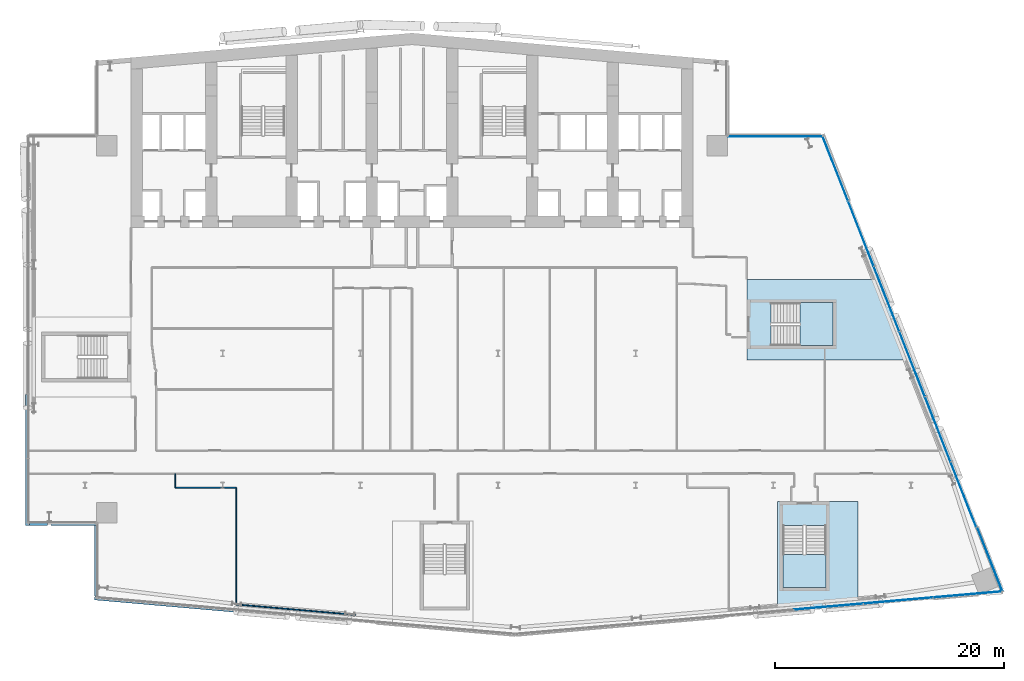
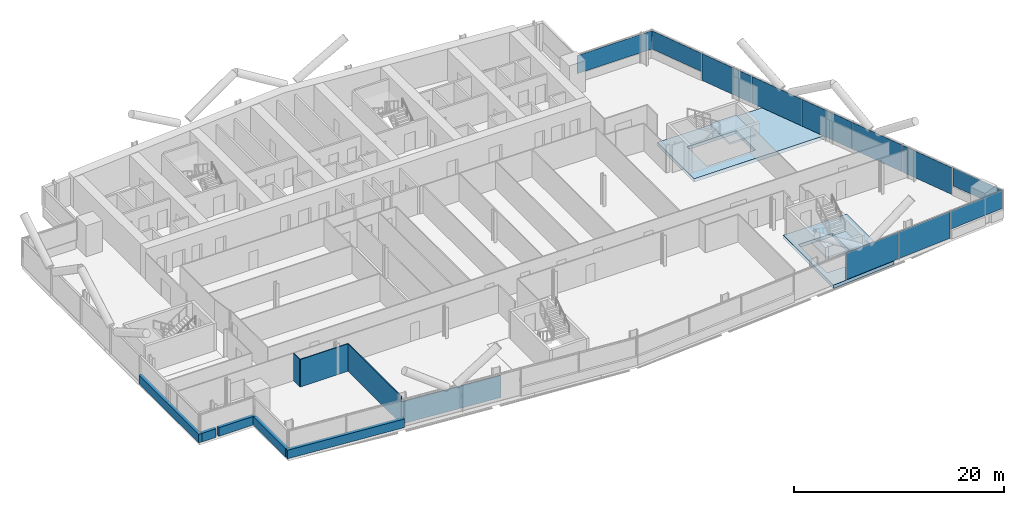
# One storey, part 13 of 27: 11 plates, 10 walls, 4 slabs, 5 elements without a shape of their own.
"""IFC4 building model written with IfcOpenShell, lengths in metres."""

from ifc_helpers import new_model, si_unit, direction, frame, frame_2d, origin, origin_2d, place, context, subcontext, project, spatial, polyline, rectangle, outline, extrude, material, layer, layer_set, type_object, element, aggregate, save


model = new_model("IFC4")

# Units and contexts
model_context = context("Model", 3, precision=1e-05, world=origin(), true_north=direction((0.0, 1.0)))
body_context = subcontext(model_context, "Body", "Model", "MODEL_VIEW")
ifc_project = project(units=[si_unit("LENGTHUNIT", "METRE"), si_unit("AREAUNIT", "SQUARE_METRE"), si_unit("VOLUMEUNIT", "CUBIC_METRE"), si_unit("PLANEANGLEUNIT", "RADIAN"), si_unit("MASSUNIT", "GRAM", prefix="KILO")], contexts=[model_context])

# Site, building, storey
site_placement = place(None, origin())
site = spatial("IfcSite", under=ifc_project, at=site_placement, CompositionType="ELEMENT")
building_placement = place(site_placement, origin())
building = spatial("IfcBuilding", under=site, at=building_placement, Name="Wharfspan Tower", CompositionType="ELEMENT")
storey_placement = place(building_placement, frame((0.0, 0.0, 139.899902)))
storey = spatial("IfcBuildingStorey", under=building, at=storey_placement, Name="L33", CompositionType="ELEMENT", Elevation=139.899902)

# Curtain wall, plate
ifc_material_1 = material(Name="Aluminium 6063-T6", Category="aluminium")
curtain_wall_type_1 = type_object("IfcCurtainWallType", Name="CURTAIN WALL FACETED FRONT", PredefinedType="NOTDEFINED", material=ifc_material_1)
curtain_wall_1_placement = place(storey_placement, origin())
curtain_wall_1 = element("IfcCurtainWall", 1, at=curtain_wall_1_placement, inside=storey, type_object=curtain_wall_type_1, Name="Curtain wall S2", PredefinedType="NOTDEFINED")
ifc_material_2 = material(Name="Glass clear low-iron double glazing", Category="glass")
ifc_layer_1 = layer(ifc_material_2, 0.040039)
ifc_layer_set_1 = layer_set([ifc_layer_1], Name="Glass clear low-iron double glazing")
plate_type_1 = type_object("IfcPlateType", Name="GLASS PANEL FACETED FRONT 40", PredefinedType="CURTAIN_PANEL", material=ifc_layer_set_1)
plate_1_placement = place(storey_placement, frame((88.944092, 1.99292, 1.0), z_axis=(0.0, 0.0, 1.0), x_axis=(0.996198, 0.087156, 0.0)))
plate_1 = element("IfcPlate", 2, at=plate_1_placement, type_object=plate_type_1, Name="Curtain wall S2 panel 7", PredefinedType="CURTAIN_PANEL", context=body_context, shape_type="SweptSolid", body=[
    extrude(rectangle(XDim=6.004639, YDim=0.040039, at=origin_2d()), origin(), (0.0, 0.0, 1.0), 2.120117),
])

# Curtain wall, plates
curtain_wall_type_2 = type_object("IfcCurtainWallType", Name="CURTAIN WALL PROW AND END", PredefinedType="NOTDEFINED", material=ifc_material_1)
curtain_wall_2_placement = place(storey_placement, origin())
curtain_wall_2 = element("IfcCurtainWall", 3, at=curtain_wall_2_placement, inside=storey, type_object=curtain_wall_type_2, Name="Curtain wall E", PredefinedType="NOTDEFINED")
ifc_layer_2 = layer(ifc_material_2, 0.040039)
ifc_layer_set_2 = layer_set([ifc_layer_2], Name="Glass clear low-iron double glazing")
plate_type_2 = type_object("IfcPlateType", Name="GLASS PANEL PROW AND END 40", PredefinedType="CURTAIN_PANEL", material=ifc_layer_set_2)
plate_2_placement = place(storey_placement, frame((90.877197, 5.056885, 1.0), z_axis=(0.0, 0.0, 1.0), x_axis=(-0.365778, 0.930702, 0.0)))
plate_2 = element("IfcPlate", 4, at=plate_2_placement, type_object=plate_type_2, Name="Curtain wall E panel 1", PredefinedType="CURTAIN_PANEL", context=body_context, shape_type="SweptSolid", body=[
    extrude(rectangle(XDim=6.019043, YDim=0.040039, at=origin_2d()), origin(), (0.0, 0.0, 1.0), 2.120117),
])
plate_3_placement = place(storey_placement, frame((77.406494, 39.114014, 1.0), z_axis=(0.0, 0.0, 1.0), x_axis=(-0.365778, 0.930702, 0.0)))
plate_3 = element("IfcPlate", 5, at=plate_3_placement, type_object=plate_type_2, Name="Curtain wall E panel 7", PredefinedType="CURTAIN_PANEL", context=body_context, shape_type="SweptSolid", body=[
    extrude(rectangle(XDim=6.019043, YDim=0.040039, at=origin_2d()), origin(), (0.0, 0.0, 1.0), 2.120117),
])

# Curtain wall, plate
curtain_wall_3_placement = place(storey_placement, origin())
curtain_wall_3 = element("IfcCurtainWall", 6, at=curtain_wall_3_placement, inside=storey, type_object=curtain_wall_type_2, Name="Curtain wall NRE-H", PredefinedType="NOTDEFINED")
plate_4_placement = place(storey_placement, frame((72.178955, 41.919922, 1.0), z_axis=(0.0, 0.0, 1.0), x_axis=(-1.0, 0.0, 0.0)))
plate_4 = element("IfcPlate", 7, at=plate_4_placement, type_object=plate_type_2, Name="Curtain wall NRE-H panel 1", PredefinedType="CURTAIN_PANEL", context=body_context, shape_type="SweptSolid", body=[
    extrude(rectangle(XDim=8.238037, YDim=0.040039, at=origin_2d()), origin(), (0.0, 0.0, 1.0), 2.120117),
])
aggregate(curtain_wall_3, [plate_4])

# Plate
ifc_material_3 = material(Name="Aluminium composite opaque insulated panel", Category="aluminium")
ifc_layer_3 = layer(ifc_material_3, 0.040039)
ifc_layer_set_3 = layer_set([ifc_layer_3], Name="Aluminium composite opaque insulated panel")
plate_type_3 = type_object("IfcPlateType", Name="INFILL PANEL FACETED FRONT OPAQUE 40", PredefinedType="SHEET", material=ifc_layer_set_3)
plate_5_placement = place(storey_placement, frame((76.816162, 0.931885, 0.0), z_axis=(0.0, 0.0, 1.0), x_axis=(0.996198, 0.087156, 0.0)))
plate_5 = element("IfcPlate", 8, at=plate_5_placement, type_object=plate_type_3, Name="Curtain wall S2 panel 5", PredefinedType="SHEET", context=body_context, shape_type="SweptSolid", body=[
    extrude(rectangle(XDim=6.034668, YDim=0.040039, at=origin_2d()), origin(), (0.0, 0.0, 1.0), 3.120117),
])

plate_6_placement = place(storey_placement, frame((82.887695, 1.462891, 0.0), z_axis=(0.0, 0.0, 1.0), x_axis=(0.996198, 0.087156, 0.0)))
plate_6 = element("IfcPlate", 9, at=plate_6_placement, type_object=plate_type_3, Name="Curtain wall S2 panel 6", PredefinedType="SHEET", context=body_context, shape_type="SweptSolid", body=[
    extrude(rectangle(XDim=6.034668, YDim=0.040039, at=origin_2d()), origin(), (0.0, 0.0, 1.0), 3.120117),
])

aggregate(curtain_wall_1, [plate_5, plate_6, plate_1])

ifc_layer_4 = layer(ifc_material_3, 0.040039)
ifc_layer_set_4 = layer_set([ifc_layer_4], Name="Aluminium composite opaque insulated panel")
plate_type_4 = type_object("IfcPlateType", Name="INFILL PANEL PROW AND END OPAQUE 40", PredefinedType="SHEET", material=ifc_layer_set_4)
plate_7_placement = place(storey_placement, frame((88.57373, 10.699219, 0.0), z_axis=(0.0, 0.0, 1.0), x_axis=(-0.365778, 0.930702, 0.0)))
plate_7 = element("IfcPlate", 10, at=plate_7_placement, type_object=plate_type_4, Name="Curtain wall E panel 2", PredefinedType="SHEET", context=body_context, shape_type="SweptSolid", body=[
    extrude(rectangle(XDim=6.049072, YDim=0.040039, at=origin_2d()), origin(), (0.0, 0.0, 1.0), 3.120117),
])

plate_8_placement = place(storey_placement, frame((86.339111, 16.38501, 0.0), z_axis=(0.0, 0.0, 1.0), x_axis=(-0.365778, 0.930702, 0.0)))
plate_8 = element("IfcPlate", 11, at=plate_8_placement, type_object=plate_type_4, Name="Curtain wall E panel 3", PredefinedType="SHEET", context=body_context, shape_type="SweptSolid", body=[
    extrude(rectangle(XDim=6.049072, YDim=0.040039, at=origin_2d()), origin(), (0.0, 0.0, 1.0), 3.120117),
])

plate_9_placement = place(storey_placement, frame((84.104492, 22.070801, 0.0), z_axis=(0.0, 0.0, 1.0), x_axis=(-0.365778, 0.930702, 0.0)))
plate_9 = element("IfcPlate", 12, at=plate_9_placement, type_object=plate_type_4, Name="Curtain wall E panel 4", PredefinedType="SHEET", context=body_context, shape_type="SweptSolid", body=[
    extrude(rectangle(XDim=6.049072, YDim=0.040039, at=origin_2d()), origin(), (0.0, 0.0, 1.0), 3.120117),
])

plate_10_placement = place(storey_placement, frame((81.870117, 27.756348, 0.0), z_axis=(0.0, 0.0, 1.0), x_axis=(-0.365778, 0.930702, 0.0)))
plate_10 = element("IfcPlate", 13, at=plate_10_placement, type_object=plate_type_4, Name="Curtain wall E panel 5", PredefinedType="SHEET", context=body_context, shape_type="SweptSolid", body=[
    extrude(rectangle(XDim=6.049072, YDim=0.040039, at=origin_2d()), origin(), (0.0, 0.0, 1.0), 3.120117),
])

plate_11_placement = place(storey_placement, frame((79.635498, 33.442139, 0.0), z_axis=(0.0, 0.0, 1.0), x_axis=(-0.365778, 0.930702, 0.0)))
plate_11 = element("IfcPlate", 14, at=plate_11_placement, type_object=plate_type_4, Name="Curtain wall E panel 6", PredefinedType="SHEET", context=body_context, shape_type="SweptSolid", body=[
    extrude(rectangle(XDim=6.049072, YDim=0.040039, at=origin_2d()), origin(), (0.0, 0.0, 1.0), 3.120117),
])

aggregate(curtain_wall_2, [plate_2, plate_7, plate_8, plate_9, plate_10, plate_11, plate_3])

# Slabs
ifc_material_4 = material(Name="Concrete C40/50", Category="concrete")
ifc_layer_5 = layer(ifc_material_4, 0.399902)
ifc_layer_set_5 = layer_set([ifc_layer_5], Name="Concrete C40/50")
slab_type_1 = type_object("IfcSlabType", Name="Post-tensioned flat slab 400", PredefinedType="FLOOR", material=ifc_layer_set_5)
slab_1_placement = place(storey_placement, frame((0.0, 0.0, -0.400146)))
element("IfcSlab", 15, at=slab_1_placement, inside=storey, type_object=slab_type_1, Name="Core floor slab L33 part 5", PredefinedType="FLOOR", context=body_context, shape_type="SweptSolid", body=[
    extrude(outline(polyline([(79.365967, 10.094727), (76.891113, 10.094727), (72.541016, 10.094727), (72.365967, 10.094727), (72.365967, 0.482178), (79.365967, 1.094727), (79.365967, 10.094727)]), holes=[polyline([(76.591064, 7.996582), (76.591309, 7.996582), (76.591309, 7.996582), (76.591553, 7.996582), (76.591797, 7.996582), (76.591797, 7.996338), (76.592041, 7.996338), (76.592285, 7.996094), (76.592285, 7.996094), (76.592529, 7.99585), (76.592773, 7.99585), (76.592773, 7.995605), (76.593018, 7.995361), (76.593018, 7.995117), (76.593018, 7.995117), (76.593018, 7.994873), (76.593018, 7.994629), (76.593018, 2.594727), (76.593018, 2.594482), (76.593018, 2.594238), (76.593018, 2.593994), (76.593018, 2.593994), (76.592773, 2.59375), (76.592773, 2.593506), (76.592529, 2.593506), (76.592285, 2.593262), (76.592285, 2.593018), (76.592041, 2.593018), (76.591797, 2.593018), (76.591797, 2.592773), (76.591553, 2.592773), (76.591309, 2.592773), (76.591309, 2.592773), (76.591064, 2.592773), (72.841064, 2.592773), (72.84082, 2.592773), (72.840576, 2.592773), (72.840332, 2.592773), (72.840088, 2.592773), (72.840088, 2.593018), (72.839844, 2.593018), (72.8396, 2.593018), (72.8396, 2.593262), (72.8396, 2.593506), (72.839355, 2.593506), (72.839111, 2.59375), (72.839111, 2.593994), (72.839111, 2.593994), (72.839111, 2.594238), (72.839111, 2.594482), (72.839111, 2.594727), (72.839111, 7.994629), (72.839111, 7.994873), (72.839111, 7.995117), (72.839111, 7.995117), (72.839111, 7.995361), (72.839111, 7.995605), (72.839355, 7.99585), (72.8396, 7.99585), (72.8396, 7.996094), (72.8396, 7.996094), (72.839844, 7.996338), (72.840088, 7.996338), (72.840088, 7.996582), (72.840332, 7.996582), (72.840576, 7.996582), (72.84082, 7.996582), (72.841064, 7.996582), (76.591064, 7.996582)])]), origin(), (0.0, 0.0, 1.0), 0.400146),
])
slab_2_placement = place(storey_placement, frame((0.0, 0.0, -0.400146)))
element("IfcSlab", 16, at=slab_2_placement, inside=storey, type_object=slab_type_1, Name="Core floor slab L33 part 6", PredefinedType="FLOOR", context=body_context, shape_type="SweptSolid", body=[
    extrude(outline(polyline([(81.290283, 29.449951), (69.69043, 29.449951), (69.69043, 27.725098), (69.69043, 23.375), (69.69043, 22.449951), (84.041504, 22.449951), (81.290283, 29.449951)]), holes=[polyline([(71.790283, 23.673096), (71.790283, 23.673096), (71.790039, 23.673096), (71.789795, 23.673096), (71.789551, 23.673096), (71.789551, 23.673096), (71.789307, 23.67334), (71.789062, 23.673584), (71.789062, 23.673584), (71.788818, 23.673584), (71.788818, 23.673828), (71.788574, 23.674072), (71.788574, 23.674316), (71.788574, 23.674316), (71.78833, 23.674561), (71.78833, 23.674805), (71.78833, 23.675049), (71.78833, 27.425049), (71.78833, 27.425293), (71.78833, 27.425293), (71.788574, 27.425537), (71.788574, 27.425781), (71.788574, 27.425781), (71.788818, 27.426025), (71.788818, 27.42627), (71.789062, 27.426514), (71.789062, 27.426514), (71.789307, 27.426758), (71.789551, 27.426758), (71.789551, 27.426758), (71.789795, 27.427002), (71.790039, 27.427002), (71.790283, 27.427002), (71.790283, 27.427002), (77.19043, 27.427002), (77.190674, 27.427002), (77.190918, 27.427002), (77.190918, 27.427002), (77.191162, 27.426758), (77.191406, 27.426758), (77.191406, 27.426758), (77.19165, 27.426514), (77.191895, 27.426514), (77.191895, 27.42627), (77.192139, 27.426025), (77.192139, 27.425781), (77.192139, 27.425781), (77.192383, 27.425537), (77.192383, 27.425293), (77.192383, 27.425293), (77.192383, 27.425049), (77.192383, 23.675049), (77.192383, 23.674805), (77.192383, 23.674561), (77.192383, 23.674316), (77.192139, 23.674316), (77.192139, 23.674072), (77.192139, 23.673828), (77.191895, 23.673584), (77.191895, 23.673584), (77.19165, 23.673584), (77.191406, 23.67334), (77.191406, 23.673096), (77.191162, 23.673096), (77.190918, 23.673096), (77.190918, 23.673096), (77.190674, 23.673096), (77.19043, 23.673096), (71.790283, 23.673096)])]), origin(), (0.0, 0.0, 1.0), 0.400146),
])

# Stair, slab
stair_type = type_object("IfcStairType", Name="Half-turn stair 20 risers 180 mm", PredefinedType="HALF_TURN_STAIR", material=ifc_material_4)
stair_1_placement = place(storey_placement, origin())
stair_1 = element("IfcStair", 17, at=stair_1_placement, inside=storey, type_object=stair_type, Name="L33 stair ST5", PredefinedType="HALF_TURN_STAIR")
ifc_layer_6 = layer(ifc_material_4, 0.199951)
ifc_layer_set_6 = layer_set([ifc_layer_6], Name="Concrete C40/50")
slab_type_2 = type_object("IfcSlabType", Name="Stair landing 200", PredefinedType="LANDING", material=ifc_layer_set_6)
slab_3_placement = place(storey_placement, frame((0.0, 0.0, 1.599854)))
slab_3 = element("IfcSlab", 18, at=slab_3_placement, type_object=slab_type_2, Name="ST5 landing 1", PredefinedType="LANDING", context=body_context, shape_type="SweptSolid", body=[
    extrude(outline(polyline([(72.841064, 5.474609), (72.841064, 2.594727), (76.591064, 2.594727), (76.591064, 5.474609), (72.841064, 5.474609)])), origin(), (0.0, 0.0, 1.0), 0.200195),
])
aggregate(stair_1, [slab_3])

stair_2_placement = place(storey_placement, origin())
stair_2 = element("IfcStair", 19, at=stair_2_placement, inside=storey, type_object=stair_type, Name="L33 stair ST6", PredefinedType="HALF_TURN_STAIR")
slab_4_placement = place(storey_placement, frame((0.0, 0.0, 1.599854)))
slab_4 = element("IfcSlab", 20, at=slab_4_placement, type_object=slab_type_2, Name="ST6 landing 1", PredefinedType="LANDING", context=body_context, shape_type="SweptSolid", body=[
    extrude(outline(polyline([(74.310303, 23.675049), (77.19043, 23.675049), (77.19043, 27.425049), (74.310303, 27.425049), (74.310303, 23.675049)])), origin(), (0.0, 0.0, 1.0), 0.200195),
])
aggregate(stair_2, [slab_4])

# Walls
ifc_material_5 = material(Name="Gypsum board on steel studs", Category="steel")
ifc_layer_7 = layer(ifc_material_5, 0.100098)
ifc_layer_set_7 = layer_set([ifc_layer_7], Name="Gypsum board on steel studs")
wall_type_1 = type_object("IfcWallType", Name="Compartment wall 100 EI 60", PredefinedType="PARTITIONING", material=ifc_layer_set_7)
wall_1_placement = place(storey_placement, frame((19.875, 11.290039, 0.0), z_axis=(0.0, 0.0, 1.0), x_axis=(0.0, 1.0, 0.0)))
element("IfcWall", 21, at=wall_1_placement, inside=storey, type_object=wall_type_1, Name="Partition L33.w016", PredefinedType="PARTITIONING", context=body_context, shape_type="SweptSolid", body=[
    extrude(rectangle(XDim=1.23999, YDim=0.100098, at=frame_2d((0.620117, 0.0))), origin(), (0.0, 0.0, 1.0), 3.200195),
])
ifc_layer_8 = layer(ifc_material_5, 0.100098)
ifc_layer_set_8 = layer_set([ifc_layer_8], Name="Gypsum board on steel studs")
wall_type_2 = type_object("IfcWallType", Name="Partition 100", PredefinedType="PARTITIONING", material=ifc_layer_set_8)
wall_2_placement = place(storey_placement, frame((19.875, 11.290039, 0.0), z_axis=(0.0, 0.0, 1.0), x_axis=(1.0, 0.0, 0.0)))
element("IfcWall", 22, at=wall_2_placement, inside=storey, type_object=wall_type_2, Name="Partition L33.w017", PredefinedType="PARTITIONING", context=body_context, shape_type="SweptSolid", body=[
    extrude(rectangle(XDim=5.290039, YDim=0.100098, at=frame_2d((2.64502, 0.0))), origin(), (0.0, 0.0, 1.0), 3.200195),
])
wall_3_placement = place(storey_placement, frame((25.165039, 1.120117, 0.0), z_axis=(0.0, 0.0, 1.0), x_axis=(0.0, 1.0, 0.0)))
element("IfcWall", 23, at=wall_3_placement, inside=storey, type_object=wall_type_2, Name="Partition L33.w018", PredefinedType="PARTITIONING", context=body_context, shape_type="SweptSolid", body=[
    extrude(rectangle(XDim=10.169922, YDim=0.100098, at=frame_2d((5.084961, 0.0))), origin(), (0.0, 0.0, 1.0), 3.200195),
])
wall_4_placement = place(storey_placement, frame((31.25, 0.590088, 0.0), z_axis=(0.0, 0.0, 1.0), x_axis=(-0.996225, 0.086776, 0.0)))
element("IfcWall", 24, at=wall_4_placement, inside=storey, type_object=wall_type_2, Name="Partition L33.w019", PredefinedType="PARTITIONING", context=body_context, shape_type="SweptSolid", body=[
    extrude(rectangle(XDim=6.10791, YDim=0.100098, at=frame_2d((3.053955, 0.0))), origin(), (0.0, 0.0, 1.0), 2.580078),
])
wall_5_placement = place(storey_placement, frame((35.584961, 0.209961, 0.0), z_axis=(0.0, 0.0, 1.0), x_axis=(-0.996173, 0.087353, 0.0)))
element("IfcWall", 25, at=wall_5_placement, inside=storey, type_object=wall_type_2, Name="Partition L33.w022", PredefinedType="PARTITIONING", context=body_context, shape_type="SweptSolid", body=[
    extrude(rectangle(XDim=4.351562, YDim=0.100098, at=frame_2d((2.175781, 0.0))), origin(), (0.0, 0.0, 1.0), 2.580078),
])
ifc_layer_9 = layer(ifc_material_4, 0.350098)
ifc_layer_set_9 = layer_set([ifc_layer_9], Name="Concrete C40/50")
wall_type_3 = type_object("IfcWallType", Name="SPANDREL EXPOSED CONCRETE 350", PredefinedType="SOLIDWALL", material=ifc_layer_set_9)
wall_6_placement = place(storey_placement, frame((12.835205, 1.68457, 0.0), z_axis=(0.0, 0.0, 1.0), x_axis=(0.996192, -0.087173, 0.0)))
element("IfcWall", 26, at=wall_6_placement, inside=storey, type_object=wall_type_3, Name="Spandrel upstand L33 S1 1", PredefinedType="SOLIDWALL", context=body_context, shape_type="SweptSolid", body=[
    extrude(rectangle(XDim=12.348145, YDim=0.350098, at=frame_2d((6.174072, 0.0))), origin(), (0.0, 0.0, 1.0), 1.0),
])
wall_7_placement = place(storey_placement, frame((6.995117, 19.436768, 0.0), z_axis=(0.0, 0.0, 1.0), x_axis=(0.0, -1.0, 0.0)))
element("IfcWall", 27, at=wall_7_placement, inside=storey, type_object=wall_type_3, Name="Spandrel upstand L33 W", PredefinedType="SOLIDWALL", context=body_context, shape_type="SweptSolid", body=[
    extrude(rectangle(XDim=11.416748, YDim=0.350098, at=frame_2d((5.708496, 0.0))), origin(), (0.0, 0.0, 1.0), 1.0),
])
wall_8_placement = place(storey_placement, frame((7.169922, 8.195068, 0.0), z_axis=(0.0, 0.0, 1.0), x_axis=(1.0, 0.0, 0.0)))
element("IfcWall", 28, at=wall_8_placement, inside=storey, type_object=wall_type_3, Name="Spandrel upstand L33 NFW-H", PredefinedType="SOLIDWALL", context=body_context, shape_type="SweptSolid", body=[
    extrude(rectangle(XDim=1.563232, YDim=0.350098, at=frame_2d((0.781738, 0.0))), origin(), (0.0, 0.0, 1.0), 1.0),
])
wall_9_placement = place(storey_placement, frame((9.036133, 8.195068, 0.0), z_axis=(0.0, 0.0, 1.0), x_axis=(1.0, 0.0, 0.0)))
element("IfcWall", 29, at=wall_9_placement, inside=storey, type_object=wall_type_3, Name="Spandrel upstand L33 NFW-H 2", PredefinedType="SOLIDWALL", context=body_context, shape_type="SweptSolid", body=[
    extrude(rectangle(XDim=3.963867, YDim=0.350098, at=frame_2d((1.981934, 0.0))), origin(), (0.0, 0.0, 1.0), 1.0),
])
wall_10_placement = place(storey_placement, frame((12.995117, 8.02002, 0.0), z_axis=(0.0, 0.0, 1.0), x_axis=(0.0, -1.0, 0.0)))
element("IfcWall", 30, at=wall_10_placement, inside=storey, type_object=wall_type_3, Name="Spandrel upstand L33 NFW-V", PredefinedType="SOLIDWALL", context=body_context, shape_type="SweptSolid", body=[
    extrude(rectangle(XDim=6.161133, YDim=0.350098, at=frame_2d((3.080566, 0.0))), origin(), (0.0, 0.0, 1.0), 1.0),
])

save(model, "model.ifc")
